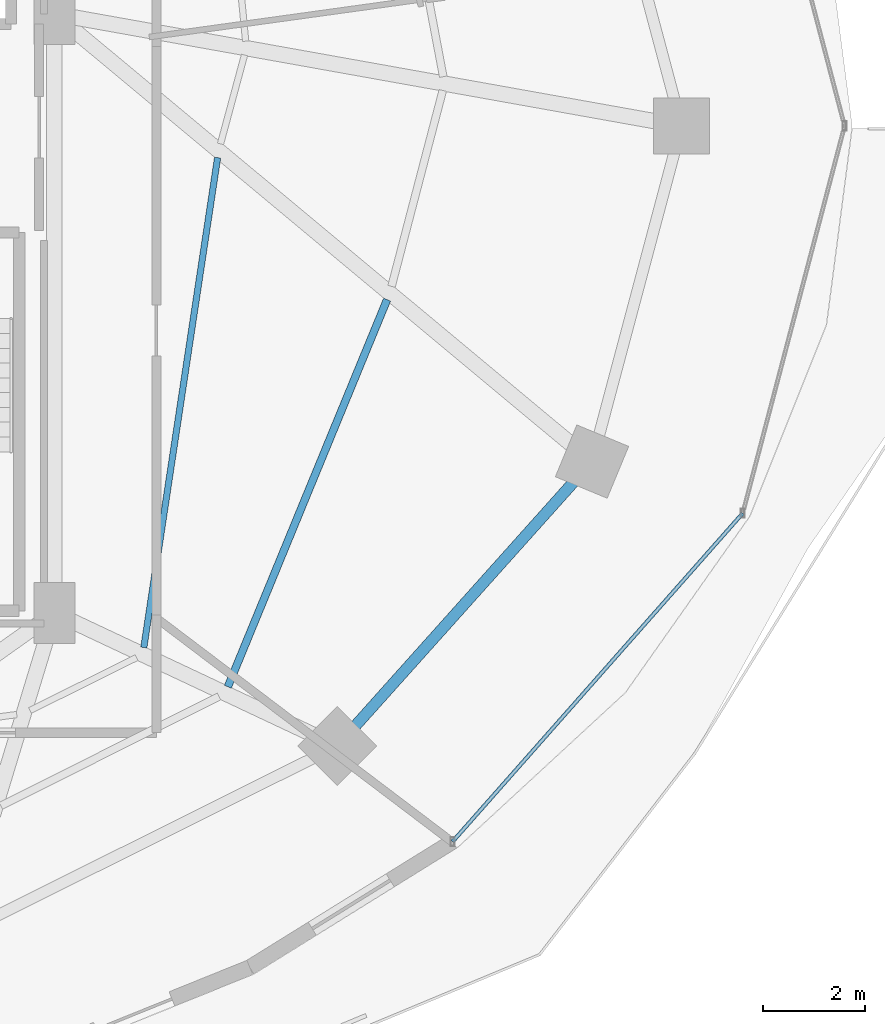
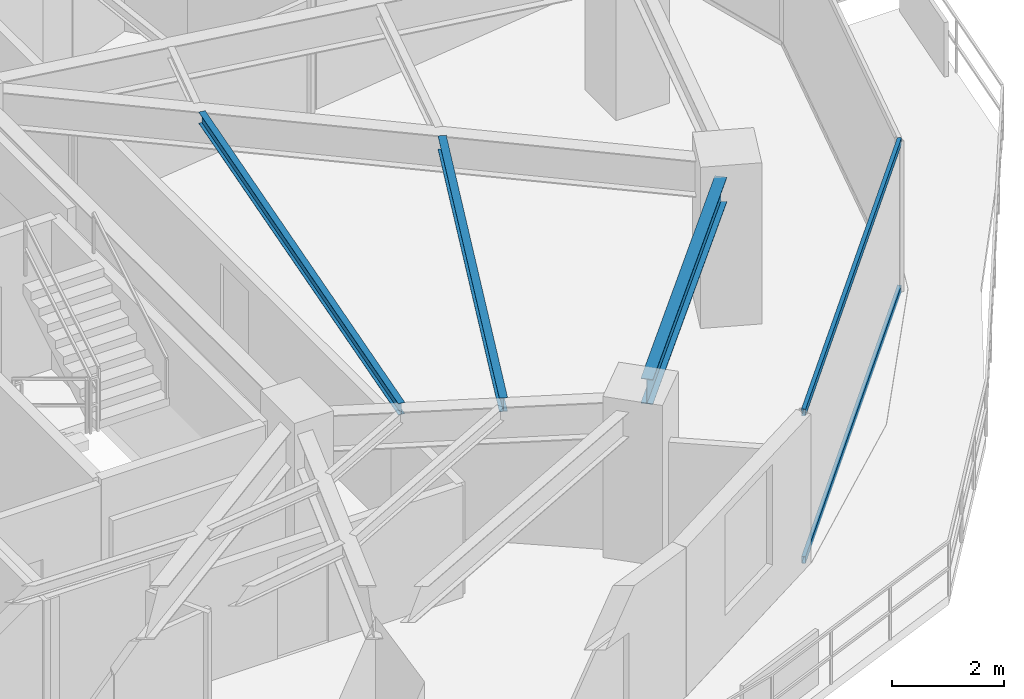
# One storey, part 12 of 30: 3 beams, 2 members, 1 element without a shape of its own.
"""IFC4 building model written with IfcOpenShell, lengths in metres."""

import ifcopenshell
import ifcopenshell.guid

model = None  # the IFC model being written
_history = None  # IfcOwnerHistory: only IFC2X3 demands one
_inside = {}  # id of a spatial element -> (the spatial element, [elements in it])
_under = {}  # id of a project, library or spatial element -> (it, [spatial elements below it])
_declared = {}  # id of a project -> (the project, [libraries it declares])
_typed = {}  # id of a type object -> (the type object, [elements of that type])
_made_of = {}  # id of a material, layer set ... -> (it, [elements and type objects made of it])


def new_model(schema):
    """Start an empty IFC model of exactly this schema.

    Asked for "IFC4X3", IfcOpenShell would pick the latest addendum, in which some entities
    have other attributes; the version numbers below select the first issue.
    IFC2X3 requires an IfcOwnerHistory on every rooted entity: one is made here for all.
    """
    global model, _history
    if schema == "IFC4X3":
        model = ifcopenshell.file(schema_version=(4, 3, 0, 0))
    else:
        model = ifcopenshell.file(schema=schema)
    _inside.clear()
    _under.clear()
    _declared.clear()
    _typed.clear()
    _made_of.clear()
    _history = None
    if model.schema == "IFC2X3":
        org = make("IfcOrganization", Name="unknown")
        user = make(
            "IfcPersonAndOrganization",
            ThePerson=make("IfcPerson", FamilyName="unknown"),
            TheOrganization=org,
        )
        app = make(
            "IfcApplication",
            ApplicationDeveloper=org,
            Version="unknown",
            ApplicationFullName="unknown",
            ApplicationIdentifier="unknown",
        )
        _history = make(
            "IfcOwnerHistory",
            OwningUser=user,
            OwningApplication=app,
            ChangeAction="ADDED",
            CreationDate=0,
        )
    return model


def make(cls, **values):
    """One entity of the class cls with the attributes given. An attribute that is None is left unset."""
    return model.create_entity(
        cls, **{name: value for name, value in values.items() if value is not None}
    )


def rooted(cls, **values):
    """An entity with a GlobalId (a new one), such as an element, a storey or a relation."""
    return make(cls, GlobalId=ifcopenshell.guid.new(), OwnerHistory=_history, **values)


def si_unit(unit_type, name, prefix=None):
    """IfcSIUnit, for example si_unit("LENGTHUNIT", "METRE", prefix="MILLI")."""
    return make("IfcSIUnit", UnitType=unit_type, Prefix=prefix, Name=name)


def assignment(units):
    """IfcUnitAssignment: the units of a project."""
    return None if units is None else make("IfcUnitAssignment", Units=units)


def point(xyz):
    """IfcCartesianPoint."""
    return None if xyz is None else make("IfcCartesianPoint", Coordinates=xyz)


def direction(xyz):
    """IfcDirection."""
    return None if xyz is None else make("IfcDirection", DirectionRatios=xyz)


def frame(location, z_axis=None, x_axis=None):
    """IfcAxis2Placement3D, a coordinate frame: its origin and axes. An axis left out is left unset."""
    return make(
        "IfcAxis2Placement3D",
        Location=point(location),
        Axis=direction(z_axis),
        RefDirection=direction(x_axis),
    )


def frame_2d(location, x_axis=None):
    """IfcAxis2Placement2D, a coordinate frame in the plane: its origin and x axis."""
    return make(
        "IfcAxis2Placement2D", Location=point(location), RefDirection=direction(x_axis)
    )


def origin():
    """The frame at (0, 0, 0) with its axes left unset."""
    return frame((0.0, 0.0, 0.0))


def origin_2d():
    """The frame at (0, 0) in the plane with its x axis left unset."""
    return frame_2d((0.0, 0.0))


def place(relative_to, where):
    """IfcLocalPlacement: puts the frame where relative to a parent placement (None: the world)."""
    return make(
        "IfcLocalPlacement", PlacementRelTo=relative_to, RelativePlacement=where
    )


def context(
    kind, dimensions, precision=None, world=None, true_north=None, identifier=None
):
    """IfcGeometricRepresentationContext, for example the 3D "Model" context."""
    return make(
        "IfcGeometricRepresentationContext",
        ContextIdentifier=identifier,
        ContextType=kind,
        CoordinateSpaceDimension=dimensions,
        Precision=precision,
        WorldCoordinateSystem=world,
        TrueNorth=true_north,
    )


def subcontext(parent, identifier, kind, view, scale=None):
    """IfcGeometricRepresentationSubContext, for example "Body" below "Model"."""
    return make(
        "IfcGeometricRepresentationSubContext",
        ContextIdentifier=identifier,
        ContextType=kind,
        ParentContext=parent,
        TargetScale=scale,
        TargetView=view,
    )


def project(units=None, contexts=None):
    """IfcProject with its units and contexts."""
    return rooted(
        "IfcProject",
        Name="project",
        RepresentationContexts=contexts,
        UnitsInContext=assignment(units),
    )


def spatial(cls, under=None, at=None, **own):
    """A site, building, storey or space (cls), placed at a placement, below another one or the project."""
    s = rooted(cls, ObjectPlacement=at, **own)
    if under is not None:
        _under.setdefault(under.id(), (under, []))[1].append(s)
    return s


def profile(cls, at=None, kind="AREA", **sizes):
    """A parametric profile (cls). Its sizes go by their IFC names, for example OverallWidth=200.0."""
    return make(cls, ProfileType=kind, Position=at, **sizes)


def hollow_rectangle(**sizes):
    """IfcRectangleHollowProfileDef."""
    return profile("IfcRectangleHollowProfileDef", **sizes)


def i_section(**sizes):
    """IfcIShapeProfileDef."""
    return profile("IfcIShapeProfileDef", **sizes)


def extrude(swept, where, along, depth):
    """IfcExtrudedAreaSolid: the profile swept, set in the frame where, extruded along a direction by depth."""
    return make(
        "IfcExtrudedAreaSolid",
        SweptArea=swept,
        Position=where,
        ExtrudedDirection=direction(along),
        Depth=depth,
    )


def shape(context_of_items, identifier, shape_type, items):
    """IfcShapeRepresentation: the items that make up one representation, for example the "Body"."""
    return make(
        "IfcShapeRepresentation",
        ContextOfItems=context_of_items,
        RepresentationIdentifier=identifier,
        RepresentationType=shape_type,
        Items=items,
    )


def material(Name=None, Category=None):
    """IfcMaterial."""
    return make("IfcMaterial", Name=Name, Category=Category)


def material_profile(
    of_material, cross_section, Name=None, Category=None, Priority=None
):
    """IfcMaterialProfile: a cross section and its material."""
    return make(
        "IfcMaterialProfile",
        Name=Name,
        Material=of_material,
        Profile=cross_section,
        Priority=Priority,
        Category=Category,
    )


def profile_set(profiles, Name=None, composite=None):
    """IfcMaterialProfileSet."""
    return make(
        "IfcMaterialProfileSet",
        Name=Name,
        MaterialProfiles=profiles,
        CompositeProfile=composite,
    )


def made_of(thing, what):
    """Note that an element or type object is made of a material, layer set ...; save() writes the relation."""
    if what is not None:
        _made_of.setdefault(what.id(), (what, []))[1].append(thing)
    return thing


def type_object(cls, material=None, **own):
    """A type object (cls), such as IfcWallType, which elements share."""
    return made_of(rooted(cls, **own), material)


def element(
    cls,
    number,
    at=None,
    inside=None,
    cuts=None,
    type_object=None,
    material=None,
    context=None,
    identifier="Body",
    shape_type=None,
    held_by="IfcProductDefinitionShape",
    body=None,
    shapes=None,
    **own,
):
    """One element of the class cls, such as IfcWall. Its Tag is "e" and its number.

    at: its placement. inside: the storey or other place that contains it. cuts: it is an
    opening in that element (IfcRelVoidsElement). A single representation is given by context,
    identifier, shape_type and body (its items); several are given by shapes. held_by: the class
    of the entity that holds the representations. save() writes the other relations.
    """
    e = rooted(cls, Tag="e%d" % number, ObjectPlacement=at, **own)
    if body is not None:
        shapes = [shape(context, identifier, shape_type, body)]
    if shapes is not None:
        e.Representation = make(held_by, Representations=shapes)
    if inside is not None:
        _inside.setdefault(inside.id(), (inside, []))[1].append(e)
    if cuts is not None:
        rooted(
            "IfcRelVoidsElement", RelatingBuildingElement=cuts, RelatedOpeningElement=e
        )
    if type_object is not None:
        _typed.setdefault(type_object.id(), (type_object, []))[1].append(e)
    return made_of(e, material)


def aggregate(whole, parts):
    """IfcRelAggregates: a whole, such as a stair, and the parts it consists of."""
    return rooted("IfcRelAggregates", RelatingObject=whole, RelatedObjects=parts)


def save(model, path):
    """Write the relations noted so far, then the file.

    IfcRelAggregates (storeys below a building ...), IfcRelContainedInSpatialStructure (elements
    in a storey), IfcRelDefinesByType, IfcRelAssociatesMaterial and IfcRelDeclares: one each for
    every whole, place, type object, material and project.
    """
    for whole, parts in _under.values():
        aggregate(whole, parts)
    for where, things in _inside.values():
        rooted(
            "IfcRelContainedInSpatialStructure",
            RelatedElements=things,
            RelatingStructure=where,
        )
    for kind, things in _typed.values():
        rooted("IfcRelDefinesByType", RelatedObjects=things, RelatingType=kind)
    for what, things in _made_of.values():
        rooted("IfcRelAssociatesMaterial", RelatedObjects=things, RelatingMaterial=what)
    for by, libraries in _declared.values():
        rooted("IfcRelDeclares", RelatingContext=by, RelatedDefinitions=libraries)
    model.write(path)


model = new_model("IFC4")

# Units and contexts
model_context = context("Model", 3, precision=1e-05, world=origin(), true_north=direction((0.0, 1.0)))
body_context = subcontext(model_context, "Body", "Model", "MODEL_VIEW")
ifc_project = project(units=[si_unit("LENGTHUNIT", "METRE"), si_unit("AREAUNIT", "SQUARE_METRE"), si_unit("VOLUMEUNIT", "CUBIC_METRE"), si_unit("PLANEANGLEUNIT", "RADIAN"), si_unit("MASSUNIT", "GRAM", prefix="KILO")], contexts=[model_context])

# Site, building, storey
site_placement = place(None, origin())
site = spatial("IfcSite", under=ifc_project, at=site_placement, CompositionType="ELEMENT")
building_placement = place(site_placement, origin())
building = spatial("IfcBuilding", under=site, at=building_placement, Name="Vorneva Point Tower", CompositionType="ELEMENT")
storey_placement = place(building_placement, frame((0.0, 0.0, 96.300048828125)))
storey = spatial("IfcBuildingStorey", under=building, at=storey_placement, Name="L25", CompositionType="ELEMENT", Elevation=96.300048828125)

# Beams
ifc_material_1 = material(Name="Steel S355", Category="steel")
ifc_material_profile_1 = material_profile(ifc_material_1, i_section(OverallWidth=0.1240234375, OverallDepth=0.248046875, WebThickness=0.0048828125, FlangeThickness=0.008056640625, at=origin_2d()), Name="25B1")
ifc_profile_set_1 = profile_set([ifc_material_profile_1], Name="Steel S355")
beam_type_1 = type_object("IfcBeamType", Name="BM-JST-25B1", PredefinedType="JOIST", material=ifc_profile_set_1)
beam_1_placement = place(storey_placement, frame((50.50439453125, 15.770263671875, 3.115966796875), z_axis=(0.148950979938, 0.988844581102, 0.0), x_axis=(-0.988844581102, 0.148950979938, 0.0)))
element("IfcBeam", 1, at=beam_1_placement, inside=storey, type_object=beam_type_1, Name="L25 Secondary Floor Beam 2.15", PredefinedType="JOIST", context=body_context, shape_type="SweptSolid", body=[
    extrude(i_section(OverallWidth=0.1240234375, OverallDepth=0.248046875, WebThickness=0.0048828125, FlangeThickness=0.008056640625, at=origin_2d()), origin(), (0.0, 0.0, 1.0), 9.718017578125),
])
ifc_material_profile_2 = material_profile(ifc_material_1, i_section(OverallWidth=0.14892578125, OverallDepth=0.298095703125, WebThickness=0.005615234375, FlangeThickness=0.008056640625, at=origin_2d()), Name="30B1")
ifc_profile_set_2 = profile_set([ifc_material_profile_2], Name="Steel S355")
beam_type_2 = type_object("IfcBeamType", Name="BM-JST-30B1", PredefinedType="JOIST", material=ifc_profile_set_2)
beam_2_placement = place(storey_placement, frame((52.15283203125, 15.00048828125, 3.091064453125), z_axis=(0.380401314352, 0.924821517937, 0.0), x_axis=(-0.924821517937, 0.380401314352, 0.0)))
element("IfcBeam", 2, at=beam_2_placement, inside=storey, type_object=beam_type_2, Name="L25 Secondary Floor Beam 1.15", PredefinedType="JOIST", context=body_context, shape_type="SweptSolid", body=[
    extrude(i_section(OverallWidth=0.14892578125, OverallDepth=0.298095703125, WebThickness=0.005615234375, FlangeThickness=0.008056640625, at=origin_2d()), origin(), (0.0, 0.0, 1.0), 8.21044921875),
])
ifc_material_profile_3 = material_profile(ifc_material_1, i_section(OverallWidth=0.219970703125, OverallDepth=0.54296875, WebThickness=0.009521484375, FlangeThickness=0.013427734375, at=origin_2d()), Name="55B1")
ifc_profile_set_3 = profile_set([ifc_material_profile_3], Name="Steel S355")
beam_type_3 = type_object("IfcBeamType", Name="BM-SPN-55B1", PredefinedType="SPANDREL", material=ifc_profile_set_3)
beam_3_placement = place(storey_placement, frame((54.65576171875, 14.236328125, 2.968505859375), z_axis=(0.667073815664, 0.744991627105, 0.0), x_axis=(-0.744991627105, 0.667073815664, 0.0)))
element("IfcBeam", 3, at=beam_3_placement, inside=storey, type_object=beam_type_3, Name="L25 Perimeter Spandrel Ring Beam 15", PredefinedType="SPANDREL", context=body_context, shape_type="SweptSolid", body=[
    extrude(i_section(OverallWidth=0.219970703125, OverallDepth=0.54296875, WebThickness=0.009521484375, FlangeThickness=0.013427734375, at=origin_2d()), origin(), (0.0, 0.0, 1.0), 6.420166015625),
])

# Curtain wall, members
ifc_material_2 = material(Name="Pale anodised aluminium", Category="aluminium")
curtain_wall_type = type_object("IfcCurtainWallType", Name="CW-HTL-SYS", PredefinedType="NOTDEFINED", material=ifc_material_2)
curtain_wall_placement = place(storey_placement, origin())
curtain_wall = element("IfcCurtainWall", 4, at=curtain_wall_placement, inside=storey, type_object=curtain_wall_type, Name="L25 Unitised Curtain Wall CW-L25-R01", PredefinedType="NOTDEFINED")
ifc_material_profile_4 = material_profile(ifc_material_2, hollow_rectangle(XDim=0.074951171875, YDim=0.14990234375, WallThickness=0.00390625, at=origin_2d()), Name="AL-TRN 150x75x4")
ifc_profile_set_4 = profile_set([ifc_material_profile_4], Name="Pale anodised aluminium")
member_type = type_object("IfcMemberType", Name="CW-TRN-150", PredefinedType="USERDEFINED", material=ifc_profile_set_4)
member_1_placement = place(storey_placement, frame((56.5615234375, 11.9638671875, 0.02001953125), z_axis=(0.662137326257, 0.74938251993, 0.0), x_axis=(-0.74938251993, 0.662137326257, 0.0)))
member_1 = element("IfcMember", 5, at=member_1_placement, type_object=member_type, Name="CW-L25-R01 Transom 01.1", ObjectType="TRANSOM", PredefinedType="USERDEFINED", context=body_context, shape_type="SweptSolid", body=[
    extrude(hollow_rectangle(XDim=0.074951171875, YDim=0.14990234375, WallThickness=0.00390625, at=origin_2d()), origin(), (0.0, 0.0, 1.0), 8.59375),
])
member_2_placement = place(storey_placement, frame((56.5615234375, 11.9638671875, 3.219970703125), z_axis=(0.662137326257, 0.74938251993, 0.0), x_axis=(-0.74938251993, 0.662137326257, 0.0)))
member_2 = element("IfcMember", 6, at=member_2_placement, type_object=member_type, Name="CW-L25-R01 Transom 01.2", ObjectType="TRANSOM", PredefinedType="USERDEFINED", context=body_context, shape_type="SweptSolid", body=[
    extrude(hollow_rectangle(XDim=0.074951171875, YDim=0.14990234375, WallThickness=0.00390625, at=origin_2d()), origin(), (0.0, 0.0, 1.0), 8.59375),
])
aggregate(curtain_wall, [member_1, member_2])

save(model, "model.ifc")
